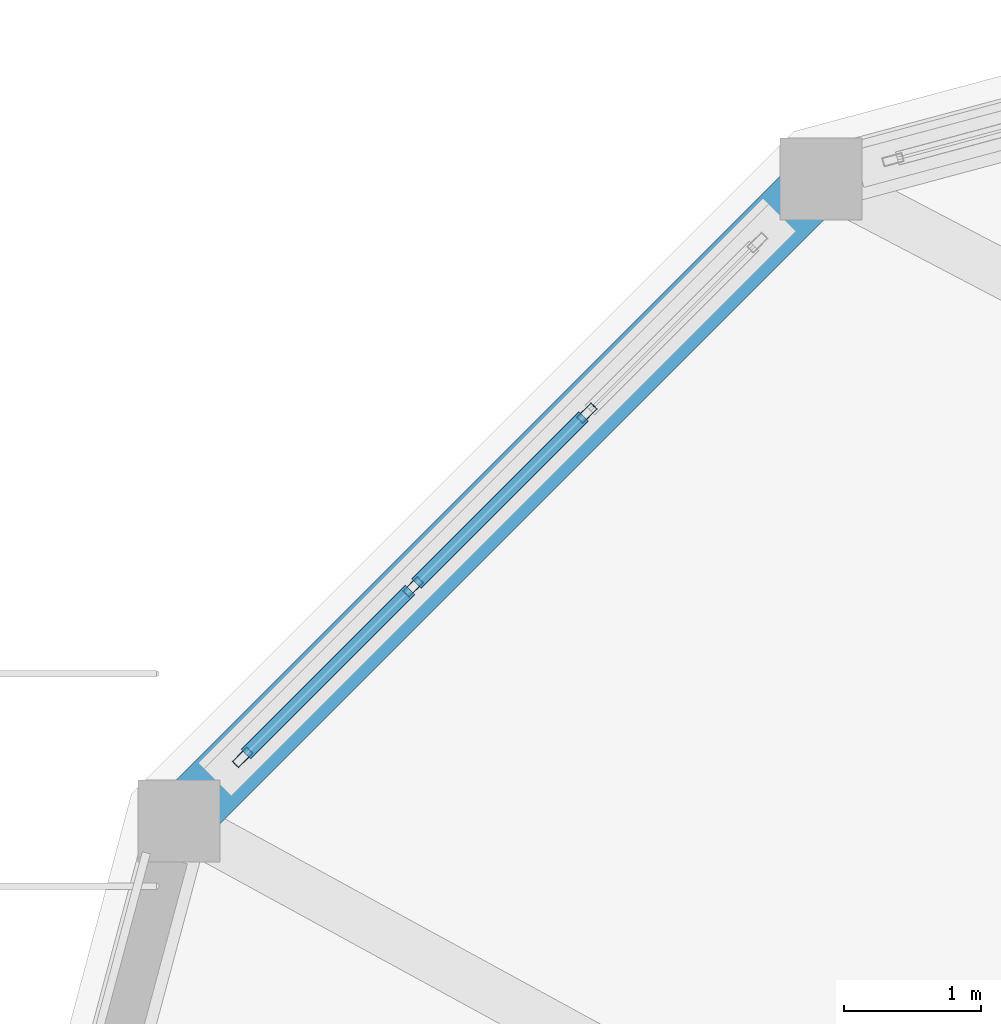
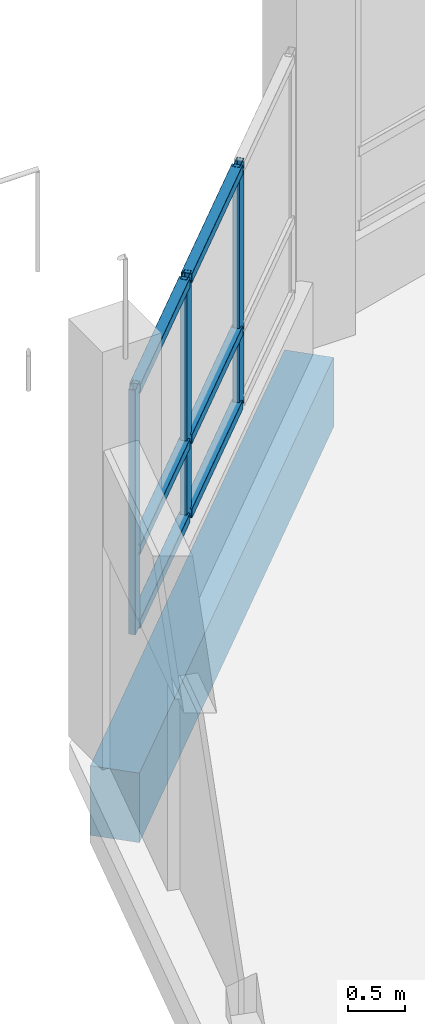
# One storey, part 40 of 129: 9 members, 1 beam, 1 element without a shape of its own.
"""IFC4 building model written with IfcOpenShell, lengths in metres."""

from ifc_helpers import new_model, si_unit, direction, frame, origin, origin_2d, place, context, subcontext, project, spatial, rectangle, hollow_rectangle, extrude, material, layer, layer_set, material_profile, profile_set, type_object, element, aggregate, save


model = new_model("IFC4")

# Units and contexts
model_context = context("Model", 3, precision=1e-05, world=origin(), true_north=direction((0.0, 1.0)))
body_context = subcontext(model_context, "Body", "Model", "MODEL_VIEW")
ifc_project = project(units=[si_unit("LENGTHUNIT", "METRE"), si_unit("AREAUNIT", "SQUARE_METRE"), si_unit("VOLUMEUNIT", "CUBIC_METRE"), si_unit("PLANEANGLEUNIT", "RADIAN"), si_unit("MASSUNIT", "GRAM", prefix="KILO")], contexts=[model_context])

# Site, building, storey
site_placement = place(None, origin())
site = spatial("IfcSite", under=ifc_project, at=site_placement, CompositionType="ELEMENT")
building_placement = place(site_placement, origin())
building = spatial("IfcBuilding", under=site, at=building_placement, Name="Vespera Passage Community Centre", CompositionType="ELEMENT")
storey_placement = place(building_placement, origin())
storey = spatial("IfcBuildingStorey", under=building, at=storey_placement, Name="L00", CompositionType="ELEMENT", Elevation=0.0)

# Beam
ifc_material_1 = material(Name="Concrete f'c 35 MPa", Category="concrete")
ifc_material_profile_1 = material_profile(ifc_material_1, rectangle(XDim=0.449951171875, YDim=0.75, at=origin_2d()), Name="RC450X750")
ifc_profile_set_1 = profile_set([ifc_material_profile_1], Name="Concrete f'c 35 MPa")
beam_type = type_object("IfcBeamType", Name="BM-SP-450X750E", PredefinedType="SPANDREL", material=ifc_profile_set_1)
beam_placement = place(storey_placement, frame((114.60009765625, 44.585205078125, -0.655029296875), z_axis=(-0.707106781187, -0.707106781187, 0.0), x_axis=(0.707106781187, -0.707106781187, 0.0)))
element("IfcBeam", 1, at=beam_placement, inside=storey, type_object=beam_type, Name="V3A L00 Cafe Spandrel 3", PredefinedType="SPANDREL", context=body_context, shape_type="SweptSolid", body=[
    extrude(rectangle(XDim=0.449951171875, YDim=0.75, at=origin_2d()), origin(), (0.0, 0.0, 1.0), 6.6259765625),
])

# Curtain wall, members
ifc_material_2 = material(Name="Anodized aluminium 6063-T6", Category="aluminium")
ifc_layer = layer(ifc_material_2, 0.159912109375)
ifc_layer_set = layer_set([ifc_layer], Name="Anodized aluminium 6063-T6")
curtain_wall_type = type_object("IfcCurtainWallType", Name="CW-113E", PredefinedType="NOTDEFINED", material=ifc_layer_set)
curtain_wall_placement = place(storey_placement, origin())
curtain_wall = element("IfcCurtainWall", 2, at=curtain_wall_placement, inside=storey, type_object=curtain_wall_type, Name="Passage Espresso Cafe Ribbon Curtain Wall 5", PredefinedType="NOTDEFINED")
ifc_material_3 = material(Name="Anodized aluminium 6063-T6", Category="aluminium")
ifc_material_profile_2 = material_profile(ifc_material_3, hollow_rectangle(XDim=0.06494140625, YDim=0.14990234375, WallThickness=0.00390625, InnerFilletRadius=0.001953125, OuterFilletRadius=0.00390625, at=origin_2d()), Name="ALU150X65X4")
ifc_profile_set_2 = profile_set([ifc_material_profile_2], Name="Anodized aluminium 6063-T6")
member_type_1 = type_object("IfcMemberType", Name="MB-CWM-150E", PredefinedType="MULLION", material=ifc_profile_set_2)
member_1_placement = place(storey_placement, frame((110.37939453125, 40.364501953125, 0.780029296875), z_axis=(0.0, 0.0, 1.0), x_axis=(-0.707106781187, 0.707106781187, 0.0)))
member_1 = element("IfcMember", 3, at=member_1_placement, type_object=member_type_1, Name="CW-113E mullion 1", PredefinedType="MULLION", context=body_context, shape_type="SweptSolid", body=[
    extrude(hollow_rectangle(XDim=0.06494140625, YDim=0.14990234375, WallThickness=0.00390625, InnerFilletRadius=0.001953125, OuterFilletRadius=0.00390625, at=origin_2d()), origin(), (0.0, 0.0, 1.0), 2.635009765625),
])
member_2_placement = place(storey_placement, frame((111.623779296875, 41.60888671875, 0.780029296875), z_axis=(0.0, 0.0, 1.0), x_axis=(-0.707106781187, 0.707106781187, 0.0)))
member_2 = element("IfcMember", 4, at=member_2_placement, type_object=member_type_1, Name="CW-113E mullion 2", PredefinedType="MULLION", context=body_context, shape_type="SweptSolid", body=[
    extrude(hollow_rectangle(XDim=0.06494140625, YDim=0.14990234375, WallThickness=0.00390625, InnerFilletRadius=0.001953125, OuterFilletRadius=0.00390625, at=origin_2d()), origin(), (0.0, 0.0, 1.0), 2.635009765625),
])
member_3_placement = place(storey_placement, frame((112.89111328125, 42.876220703125, 0.780029296875), z_axis=(0.0, 0.0, 1.0), x_axis=(-0.707106781187, 0.707106781187, 0.0)))
member_3 = element("IfcMember", 5, at=member_3_placement, type_object=member_type_1, Name="CW-113E mullion 3", PredefinedType="MULLION", context=body_context, shape_type="SweptSolid", body=[
    extrude(hollow_rectangle(XDim=0.06494140625, YDim=0.14990234375, WallThickness=0.00390625, InnerFilletRadius=0.001953125, OuterFilletRadius=0.00390625, at=origin_2d()), origin(), (0.0, 0.0, 1.0), 2.635009765625),
])
ifc_material_4 = material(Name="Anodized aluminium 6063-T6", Category="aluminium")
ifc_material_profile_3 = material_profile(ifc_material_4, hollow_rectangle(XDim=0.10009765625, YDim=0.10009765625, WallThickness=0.00390625, InnerFilletRadius=0.001953125, OuterFilletRadius=0.00390625, at=origin_2d()), Name="ALU100X100X4")
ifc_profile_set_3 = profile_set([ifc_material_profile_3], Name="Anodized aluminium 6063-T6")
member_type_2 = type_object("IfcMemberType", Name="MB-CWT-100E", PredefinedType="USERDEFINED", material=ifc_profile_set_3)
member_4_placement = place(storey_placement, frame((110.40234375, 40.387451171875, 0.830078125), z_axis=(0.707106781187, 0.707106781187, 0.0), x_axis=(-0.707106781187, 0.707106781187, 0.0)))
member_4 = element("IfcMember", 6, at=member_4_placement, type_object=member_type_2, Name="CW-113E transom 1.1", ObjectType="TRANSOM", PredefinedType="USERDEFINED", context=body_context, shape_type="SweptSolid", body=[
    extrude(hollow_rectangle(XDim=0.10009765625, YDim=0.10009765625, WallThickness=0.00390625, InnerFilletRadius=0.001953125, OuterFilletRadius=0.00390625, at=origin_2d()), origin(), (0.0, 0.0, 1.0), 1.69482421875),
])
member_5_placement = place(storey_placement, frame((110.40234375, 40.387451171875, 1.6298828125), z_axis=(0.707106781187, 0.707106781187, 0.0), x_axis=(-0.707106781187, 0.707106781187, 0.0)))
member_5 = element("IfcMember", 7, at=member_5_placement, type_object=member_type_2, Name="CW-113E transom 1.2", ObjectType="TRANSOM", PredefinedType="USERDEFINED", context=body_context, shape_type="SweptSolid", body=[
    extrude(hollow_rectangle(XDim=0.10009765625, YDim=0.10009765625, WallThickness=0.00390625, InnerFilletRadius=0.001953125, OuterFilletRadius=0.00390625, at=origin_2d()), origin(), (0.0, 0.0, 1.0), 1.69482421875),
])
member_6_placement = place(storey_placement, frame((110.40234375, 40.387451171875, 3.364990234375), z_axis=(0.707106781187, 0.707106781187, 0.0), x_axis=(-0.707106781187, 0.707106781187, 0.0)))
member_6 = element("IfcMember", 8, at=member_6_placement, type_object=member_type_2, Name="CW-113E transom 1.3", ObjectType="TRANSOM", PredefinedType="USERDEFINED", context=body_context, shape_type="SweptSolid", body=[
    extrude(hollow_rectangle(XDim=0.10009765625, YDim=0.10009765625, WallThickness=0.00390625, InnerFilletRadius=0.001953125, OuterFilletRadius=0.00390625, at=origin_2d()), origin(), (0.0, 0.0, 1.0), 1.69482421875),
])
member_7_placement = place(storey_placement, frame((111.646728515625, 41.6318359375, 0.830078125), z_axis=(0.707106781187, 0.707106781187, 0.0), x_axis=(-0.707106781187, 0.707106781187, 0.0)))
member_7 = element("IfcMember", 9, at=member_7_placement, type_object=member_type_2, Name="CW-113E transom 2.1", ObjectType="TRANSOM", PredefinedType="USERDEFINED", context=body_context, shape_type="SweptSolid", body=[
    extrude(hollow_rectangle(XDim=0.10009765625, YDim=0.10009765625, WallThickness=0.00390625, InnerFilletRadius=0.001953125, OuterFilletRadius=0.00390625, at=origin_2d()), origin(), (0.0, 0.0, 1.0), 1.727294921875),
])
member_8_placement = place(storey_placement, frame((111.646728515625, 41.6318359375, 1.6298828125), z_axis=(0.707106781187, 0.707106781187, 0.0), x_axis=(-0.707106781187, 0.707106781187, 0.0)))
member_8 = element("IfcMember", 10, at=member_8_placement, type_object=member_type_2, Name="CW-113E transom 2.2", ObjectType="TRANSOM", PredefinedType="USERDEFINED", context=body_context, shape_type="SweptSolid", body=[
    extrude(hollow_rectangle(XDim=0.10009765625, YDim=0.10009765625, WallThickness=0.00390625, InnerFilletRadius=0.001953125, OuterFilletRadius=0.00390625, at=origin_2d()), origin(), (0.0, 0.0, 1.0), 1.727294921875),
])
member_9_placement = place(storey_placement, frame((111.646728515625, 41.6318359375, 3.364990234375), z_axis=(0.707106781187, 0.707106781187, 0.0), x_axis=(-0.707106781187, 0.707106781187, 0.0)))
member_9 = element("IfcMember", 11, at=member_9_placement, type_object=member_type_2, Name="CW-113E transom 2.3", ObjectType="TRANSOM", PredefinedType="USERDEFINED", context=body_context, shape_type="SweptSolid", body=[
    extrude(hollow_rectangle(XDim=0.10009765625, YDim=0.10009765625, WallThickness=0.00390625, InnerFilletRadius=0.001953125, OuterFilletRadius=0.00390625, at=origin_2d()), origin(), (0.0, 0.0, 1.0), 1.727294921875),
])
aggregate(curtain_wall, [member_1, member_2, member_3, member_4, member_5, member_6, member_7, member_8, member_9])

save(model, "model.ifc")
